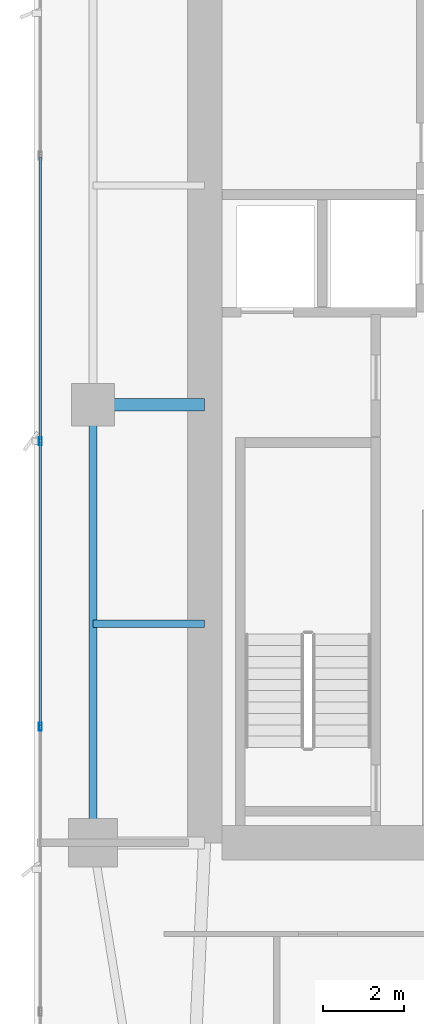
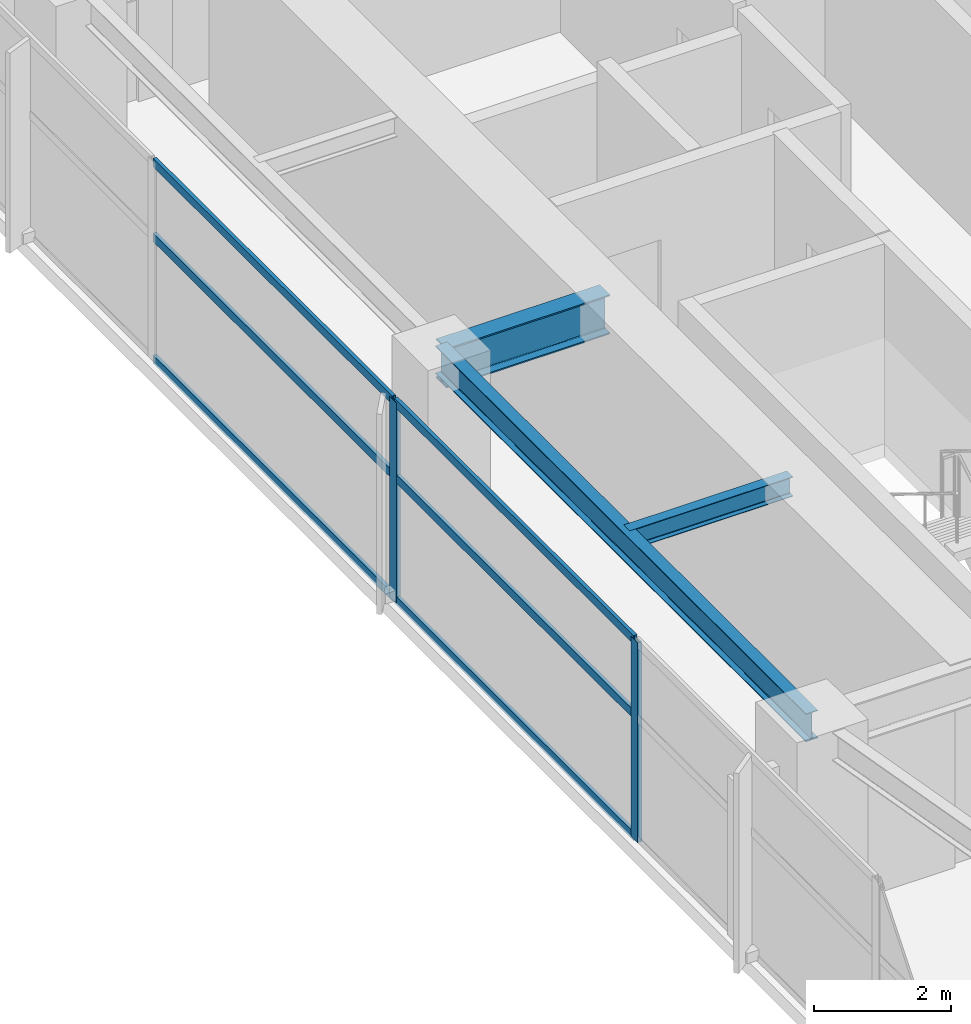
# One storey, part 8 of 28: 8 members, 3 beams, 1 element without a shape of its own.
"""IFC4 building model written with IfcOpenShell, lengths in metres."""

from ifc_helpers import new_model, si_unit, direction, frame, origin, origin_2d, place, context, subcontext, project, spatial, hollow_rectangle, i_section, extrude, material, layer, layer_set, material_profile, profile_set, type_object, element, aggregate, save


model = new_model("IFC4")

# Units and contexts
model_context = context("Model", 3, precision=1e-05, world=origin(), true_north=direction((0.0, 1.0)))
body_context = subcontext(model_context, "Body", "Model", "MODEL_VIEW")
ifc_project = project(units=[si_unit("LENGTHUNIT", "METRE"), si_unit("AREAUNIT", "SQUARE_METRE"), si_unit("VOLUMEUNIT", "CUBIC_METRE"), si_unit("PLANEANGLEUNIT", "RADIAN"), si_unit("MASSUNIT", "GRAM", prefix="KILO")], contexts=[model_context])

# Site, building, storey
site_placement = place(None, origin())
site = spatial("IfcSite", under=ifc_project, at=site_placement, CompositionType="ELEMENT")
building_placement = place(site_placement, origin())
building = spatial("IfcBuilding", under=site, at=building_placement, Name="Calvorn Quay Hotel", CompositionType="ELEMENT")
storey_placement = place(building_placement, frame((0.0, 0.0, 127.800048828125)))
storey = spatial("IfcBuildingStorey", under=building, at=storey_placement, Name="L31", CompositionType="ELEMENT", Elevation=127.800048828125)

# Beams
ifc_material_1 = material(Name="Steel Q390GJC", Category="steel")
ifc_material_profile_1 = material_profile(ifc_material_1, i_section(OverallWidth=0.300048828125, OverallDepth=0.699951171875, WebThickness=0.012939453125, FlangeThickness=0.02392578125, FilletRadius=0.02392578125, at=origin_2d()), Name="HN700x300x13x24")
ifc_profile_set_1 = profile_set([ifc_material_profile_1], Name="Steel Q390GJC")
beam_type_1 = type_object("IfcBeamType", Name="BM-GIRD-MAIN", PredefinedType="BEAM", material=ifc_profile_set_1)
beam_1_placement = place(storey_placement, frame((1.449951171875, 27.60009765625, 3.18994140625), z_axis=(1.0, 0.0, 0.0), x_axis=(0.0, 1.0, 0.0)))
element("IfcBeam", 1, at=beam_1_placement, inside=storey, type_object=beam_type_1, Name="Beam BG-L31-W2", PredefinedType="BEAM", context=body_context, shape_type="SweptSolid", body=[
    extrude(i_section(OverallWidth=0.300048828125, OverallDepth=0.699951171875, WebThickness=0.012939453125, FlangeThickness=0.02392578125, FilletRadius=0.02392578125, at=origin_2d()), origin(), (0.0, 0.0, 1.0), 2.75),
])
ifc_material_2 = material(Name="Steel Q355B", Category="steel")
ifc_material_profile_2 = material_profile(ifc_material_2, i_section(OverallWidth=0.175048828125, OverallDepth=0.35009765625, WebThickness=0.007080078125, FlangeThickness=0.010986328125, FilletRadius=0.013916015625, at=origin_2d()), Name="HN350x175x7x11")
ifc_profile_set_2 = profile_set([ifc_material_profile_2], Name="Steel Q355B")
beam_type_2 = type_object("IfcBeamType", Name="BM-JOIST-SEC", PredefinedType="JOIST", material=ifc_profile_set_2)
beam_2_placement = place(storey_placement, frame((1.449951171875, 22.199951171875, 3.364990234375), z_axis=(1.0, 0.0, 0.0), x_axis=(0.0, 1.0, 0.0)))
element("IfcBeam", 2, at=beam_2_placement, inside=storey, type_object=beam_type_2, Name="Beam BJ-L31-W3", PredefinedType="JOIST", context=body_context, shape_type="SweptSolid", body=[
    extrude(i_section(OverallWidth=0.175048828125, OverallDepth=0.35009765625, WebThickness=0.007080078125, FlangeThickness=0.010986328125, FilletRadius=0.013916015625, at=origin_2d()), origin(), (0.0, 0.0, 1.0), 2.75),
])
ifc_material_3 = material(Name="Steel Q355B", Category="steel")
ifc_material_profile_3 = material_profile(ifc_material_3, i_section(OverallWidth=0.199951171875, OverallDepth=0.5, WebThickness=0.010009765625, FlangeThickness=0.01611328125, FilletRadius=0.01611328125, at=origin_2d()), Name="HN500x200x10x16")
ifc_profile_set_3 = profile_set([ifc_material_profile_3], Name="Steel Q355B")
beam_type_3 = type_object("IfcBeamType", Name="BM-SPANDREL-Z1", PredefinedType="SPANDREL", material=ifc_profile_set_3)
beam_3_placement = place(storey_placement, frame((1.449951171875, 16.800048828125, 3.2900390625), z_axis=(0.0, 1.0, 0.0), x_axis=(-1.0, 0.0, 0.0)))
element("IfcBeam", 3, at=beam_3_placement, inside=storey, type_object=beam_type_3, Name="Beam BSP-L31-W2", PredefinedType="SPANDREL", context=body_context, shape_type="SweptSolid", body=[
    extrude(i_section(OverallWidth=0.199951171875, OverallDepth=0.5, WebThickness=0.010009765625, FlangeThickness=0.01611328125, FilletRadius=0.01611328125, at=origin_2d()), origin(), (0.0, 0.0, 1.0), 10.800048828125),
])

# Curtain wall, members
ifc_material_4 = material(Name="Pale Anodised Aluminium and Low-E Glass", Category="aluminium")
ifc_layer = layer(ifc_material_4, 0.219970703125)
ifc_layer_set = layer_set([ifc_layer], Name="CW-SYS-Z2")
curtain_wall_type = type_object("IfcCurtainWallType", Name="CW-SYS-Z2", PredefinedType="NOTDEFINED", material=ifc_layer_set)
curtain_wall_placement = place(storey_placement, origin())
curtain_wall = element("IfcCurtainWall", 4, at=curtain_wall_placement, inside=storey, type_object=curtain_wall_type, Name="Tower West Curtain Wall (L31)", PredefinedType="NOTDEFINED")
ifc_material_5 = material(Name="Pale Anodised Aluminium 6063-T6", Category="aluminium")
ifc_material_profile_4 = material_profile(ifc_material_5, hollow_rectangle(XDim=0.070068359375, YDim=0.199951171875, WallThickness=0.00390625, at=origin_2d()), Name="ALU-M200x70x4")
ifc_profile_set_4 = profile_set([ifc_material_profile_4], Name="Pale Anodised Aluminium 6063-T6")
member_type_1 = type_object("IfcMemberType", Name="CW-SYS-Z2-MUL", PredefinedType="MULLION", material=ifc_profile_set_4)
member_1_placement = place(storey_placement, frame((0.14990234375, 19.666748046875, 0.0), z_axis=(0.0, 0.0, 1.0), x_axis=(-1.0, 0.0, 0.0)))
member_1 = element("IfcMember", 5, at=member_1_placement, type_object=member_type_1, Name="CW-L31-W mullion 3", PredefinedType="MULLION", context=body_context, shape_type="SweptSolid", body=[
    extrude(hollow_rectangle(XDim=0.070068359375, YDim=0.199951171875, WallThickness=0.00390625, at=origin_2d()), origin(), (0.0, 0.0, 1.0), 3.56005859375),
])
member_2_placement = place(storey_placement, frame((0.14990234375, 26.699951171875, 0.0), z_axis=(0.0, 0.0, 1.0), x_axis=(-1.0, 0.0, 0.0)))
member_2 = element("IfcMember", 6, at=member_2_placement, type_object=member_type_1, Name="CW-L31-W mullion 4", PredefinedType="MULLION", context=body_context, shape_type="SweptSolid", body=[
    extrude(hollow_rectangle(XDim=0.070068359375, YDim=0.199951171875, WallThickness=0.00390625, at=origin_2d()), origin(), (0.0, 0.0, 1.0), 3.56005859375),
])
ifc_material_6 = material(Name="Pale Anodised Aluminium 6063-T6", Category="aluminium")
ifc_material_profile_5 = material_profile(ifc_material_6, hollow_rectangle(XDim=0.06005859375, YDim=0.14990234375, WallThickness=0.00341796875, at=origin_2d()), Name="ALU-T150x60x3.5")
ifc_profile_set_5 = profile_set([ifc_material_profile_5], Name="Pale Anodised Aluminium 6063-T6")
member_type_2 = type_object("IfcMemberType", Name="CW-SYS-Z2-TRN", PredefinedType="USERDEFINED", material=ifc_profile_set_5)
member_3_placement = place(storey_placement, frame((0.14990234375, 19.69677734375, 0.030029296875), z_axis=(0.0, 1.0, 0.0), x_axis=(-1.0, 0.0, 0.0)))
member_3 = element("IfcMember", 7, at=member_3_placement, type_object=member_type_2, Name="CW-L31-W transom 3.1", ObjectType="TRANSOM", PredefinedType="USERDEFINED", context=body_context, shape_type="SweptSolid", body=[
    extrude(hollow_rectangle(XDim=0.06005859375, YDim=0.14990234375, WallThickness=0.00341796875, at=origin_2d()), origin(), (0.0, 0.0, 1.0), 6.97314453125),
])
member_4_placement = place(storey_placement, frame((0.14990234375, 19.69677734375, 2.199951171875), z_axis=(0.0, 1.0, 0.0), x_axis=(-1.0, 0.0, 0.0)))
member_4 = element("IfcMember", 8, at=member_4_placement, type_object=member_type_2, Name="CW-L31-W transom 3.2", ObjectType="TRANSOM", PredefinedType="USERDEFINED", context=body_context, shape_type="SweptSolid", body=[
    extrude(hollow_rectangle(XDim=0.06005859375, YDim=0.14990234375, WallThickness=0.00341796875, at=origin_2d()), origin(), (0.0, 0.0, 1.0), 6.97314453125),
])
member_5_placement = place(storey_placement, frame((0.14990234375, 19.69677734375, 3.530029296875), z_axis=(0.0, 1.0, 0.0), x_axis=(-1.0, 0.0, 0.0)))
member_5 = element("IfcMember", 9, at=member_5_placement, type_object=member_type_2, Name="CW-L31-W transom 3.3", ObjectType="TRANSOM", PredefinedType="USERDEFINED", context=body_context, shape_type="SweptSolid", body=[
    extrude(hollow_rectangle(XDim=0.06005859375, YDim=0.14990234375, WallThickness=0.00341796875, at=origin_2d()), origin(), (0.0, 0.0, 1.0), 6.97314453125),
])
member_6_placement = place(storey_placement, frame((0.14990234375, 26.72998046875, 0.030029296875), z_axis=(0.0, 1.0, 0.0), x_axis=(-1.0, 0.0, 0.0)))
member_6 = element("IfcMember", 10, at=member_6_placement, type_object=member_type_2, Name="CW-L31-W transom 4.1", ObjectType="TRANSOM", PredefinedType="USERDEFINED", context=body_context, shape_type="SweptSolid", body=[
    extrude(hollow_rectangle(XDim=0.06005859375, YDim=0.14990234375, WallThickness=0.00341796875, at=origin_2d()), origin(), (0.0, 0.0, 1.0), 6.973388671875),
])
member_7_placement = place(storey_placement, frame((0.14990234375, 26.72998046875, 2.199951171875), z_axis=(0.0, 1.0, 0.0), x_axis=(-1.0, 0.0, 0.0)))
member_7 = element("IfcMember", 11, at=member_7_placement, type_object=member_type_2, Name="CW-L31-W transom 4.2", ObjectType="TRANSOM", PredefinedType="USERDEFINED", context=body_context, shape_type="SweptSolid", body=[
    extrude(hollow_rectangle(XDim=0.06005859375, YDim=0.14990234375, WallThickness=0.00341796875, at=origin_2d()), origin(), (0.0, 0.0, 1.0), 6.973388671875),
])
member_8_placement = place(storey_placement, frame((0.14990234375, 26.72998046875, 3.530029296875), z_axis=(0.0, 1.0, 0.0), x_axis=(-1.0, 0.0, 0.0)))
member_8 = element("IfcMember", 12, at=member_8_placement, type_object=member_type_2, Name="CW-L31-W transom 4.3", ObjectType="TRANSOM", PredefinedType="USERDEFINED", context=body_context, shape_type="SweptSolid", body=[
    extrude(hollow_rectangle(XDim=0.06005859375, YDim=0.14990234375, WallThickness=0.00341796875, at=origin_2d()), origin(), (0.0, 0.0, 1.0), 6.973388671875),
])
aggregate(curtain_wall, [member_1, member_2, member_3, member_4, member_5, member_6, member_7, member_8])

save(model, "model.ifc")
